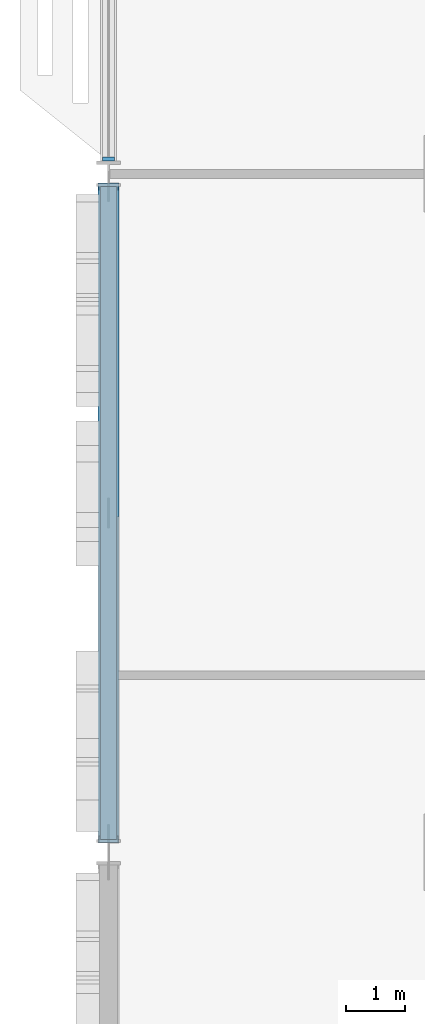
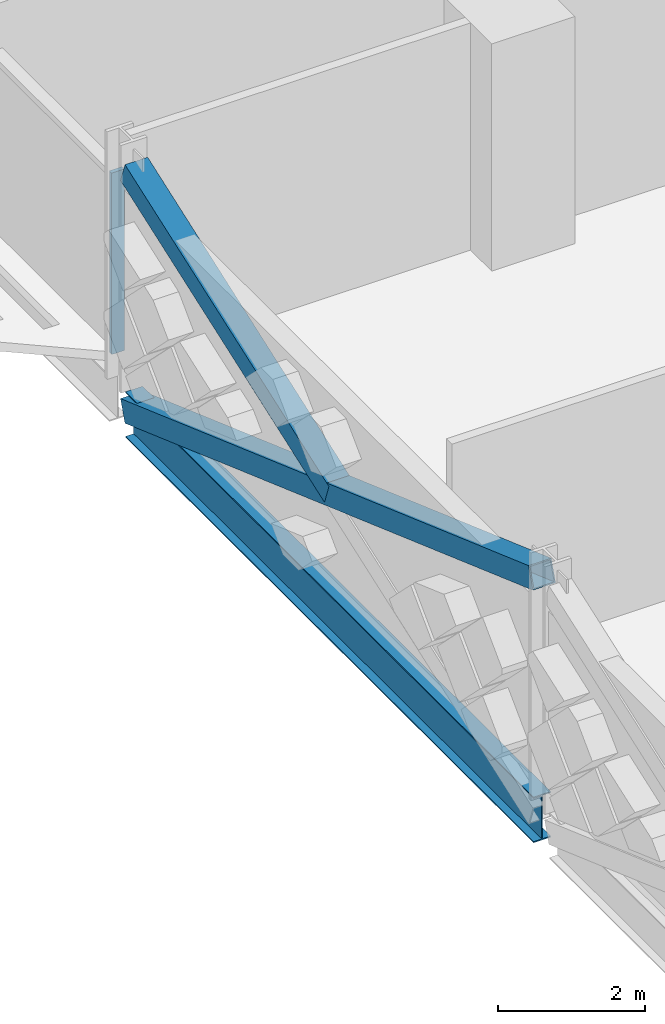
# One storey, part 4 of 29: 3 members, 1 beam, 1 element without a shape of its own.
"""IFC4 building model written with IfcOpenShell, lengths in metres."""

from ifc_helpers import new_model, si_unit, direction, frame, origin, origin_2d, place, context, subcontext, project, spatial, rectangle, hollow_rectangle, i_section, extrude, material, material_profile, profile_set, type_object, element, aggregate, save


model = new_model("IFC4")

# Units and contexts
model_context = context("Model", 3, precision=1e-05, world=origin(), true_north=direction((0.0, 1.0)))
body_context = subcontext(model_context, "Body", "Model", "MODEL_VIEW")
ifc_project = project(units=[si_unit("LENGTHUNIT", "METRE"), si_unit("AREAUNIT", "SQUARE_METRE"), si_unit("VOLUMEUNIT", "CUBIC_METRE"), si_unit("PLANEANGLEUNIT", "RADIAN"), si_unit("MASSUNIT", "GRAM", prefix="KILO")], contexts=[model_context])

# Site, building, storey
site_placement = place(None, origin())
site = spatial("IfcSite", under=ifc_project, at=site_placement, CompositionType="ELEMENT")
building_placement = place(site_placement, origin())
building = spatial("IfcBuilding", under=site, at=building_placement, Name="Mahtab Terrace Research Tower", CompositionType="ELEMENT")
storey_placement = place(building_placement, frame((0.0, 0.0, 142.5)))
storey = spatial("IfcBuildingStorey", under=building, at=storey_placement, Name="L33", CompositionType="ELEMENT", Elevation=142.5)

# Members
ifc_material_1 = material(Name="Steel ASTM A500 Gr C", Category="steel")
ifc_material_profile_1 = material_profile(ifc_material_1, hollow_rectangle(XDim=0.355712890625, YDim=0.355712890625, WallThickness=0.01904296875, at=origin_2d()), Name="HSS14X14X3/4")
ifc_profile_set_1 = profile_set([ifc_material_profile_1], Name="Steel ASTM A500 Gr C")
member_type_1 = type_object("IfcMemberType", Name="HSS 14x14x3/4 brace XB141434", PredefinedType="BRACE", material=ifc_profile_set_1)
member_1_placement = place(storey_placement, frame((-48.0, 11.282958984375, -0.64111328125), z_axis=(0.0, -0.941925134484, 0.335822931061), x_axis=(1.0, 0.0, 0.0)))
element("IfcMember", 1, at=member_1_placement, inside=storey, type_object=member_type_1, Name="Exoskeleton brace L33 11 a", PredefinedType="BRACE", context=body_context, shape_type="SweptSolid", body=[
    extrude(hollow_rectangle(XDim=0.355712890625, YDim=0.355712890625, WallThickness=0.01904296875, at=origin_2d()), origin(), (0.0, 0.0, 1.0), 11.748291015625),
])
member_2_placement = place(storey_placement, frame((-48.0, 5.75, 1.33154296875), z_axis=(0.0, 0.941925134484, 0.335822931061), x_axis=(-1.0, 0.0, 0.0)))
element("IfcMember", 2, at=member_2_placement, inside=storey, type_object=member_type_1, Name="Exoskeleton brace L33 11 b2", PredefinedType="BRACE", context=body_context, shape_type="SweptSolid", body=[
    extrude(hollow_rectangle(XDim=0.355712890625, YDim=0.355712890625, WallThickness=0.01904296875, at=origin_2d()), origin(), (0.0, 0.0, 1.0), 5.8740234375),
])

# Curtain wall, member
ifc_material_2 = material(Name="Laboratory ribbon curtain wall")
curtain_wall_type = type_object("IfcCurtainWallType", Name="Laboratory ribbon curtain wall", PredefinedType="NOTDEFINED", material=ifc_material_2)
curtain_wall_placement = place(storey_placement, origin())
curtain_wall = element("IfcCurtainWall", 3, at=curtain_wall_placement, inside=storey, type_object=curtain_wall_type, Name="EN.L33.8.16", PredefinedType="NOTDEFINED")
ifc_material_3 = material(Name="Natural anodised aluminium", Category="aluminium")
ifc_material_profile_2 = material_profile(ifc_material_3, rectangle(XDim=0.199951171875, YDim=0.06494140625, at=origin_2d()), Name="MULLION 65x200")
ifc_profile_set_2 = profile_set([ifc_material_profile_2], Name="Natural anodised aluminium")
member_type_2 = type_object("IfcMemberType", Name="Laboratory ribbon curtain wall mullion", PredefinedType="MULLION", material=ifc_profile_set_2)
member_3_placement = place(storey_placement, frame((-48.0, 11.75048828125, 0.0), z_axis=(0.0, 0.0, 1.0), x_axis=(1.0, 0.0, 0.0)))
member_3 = element("IfcMember", 4, at=member_3_placement, type_object=member_type_2, Name="CWL-4 mullion 2", PredefinedType="MULLION", context=body_context, shape_type="SweptSolid", body=[
    extrude(rectangle(XDim=0.199951171875, YDim=0.06494140625, at=origin_2d()), origin(), (0.0, 0.0, 1.0), 3.003173828125),
])
aggregate(curtain_wall, [member_3])

# Beam
ifc_material_4 = material(Name="Steel ASTM A992 Gr 50", Category="steel")
ifc_material_profile_3 = material_profile(ifc_material_4, i_section(OverallWidth=0.2666015625, OverallDepth=0.7568359375, WebThickness=0.013916015625, FlangeThickness=0.019287109375, at=origin_2d()), Name="W30X108")
ifc_profile_set_3 = profile_set([ifc_material_profile_3], Name="Steel ASTM A992 Gr 50")
beam_type = type_object("IfcBeamType", Name="W30x108 beam BS30108", PredefinedType="BEAM", material=ifc_profile_set_3)
beam_placement = place(storey_placement, frame((-48.0, 11.282958984375, -0.718505859375), z_axis=(0.0, -1.0, 0.0), x_axis=(1.0, 0.0, 0.0)))
element("IfcBeam", 5, at=beam_placement, inside=storey, type_object=beam_type, Name="Spandrel beam L33 11", PredefinedType="BEAM", context=body_context, shape_type="SweptSolid", body=[
    extrude(i_section(OverallWidth=0.2666015625, OverallDepth=0.7568359375, WebThickness=0.013916015625, FlangeThickness=0.019287109375, at=origin_2d()), origin(), (0.0, 0.0, 1.0), 11.06591796875),
])

save(model, "model.ifc")
